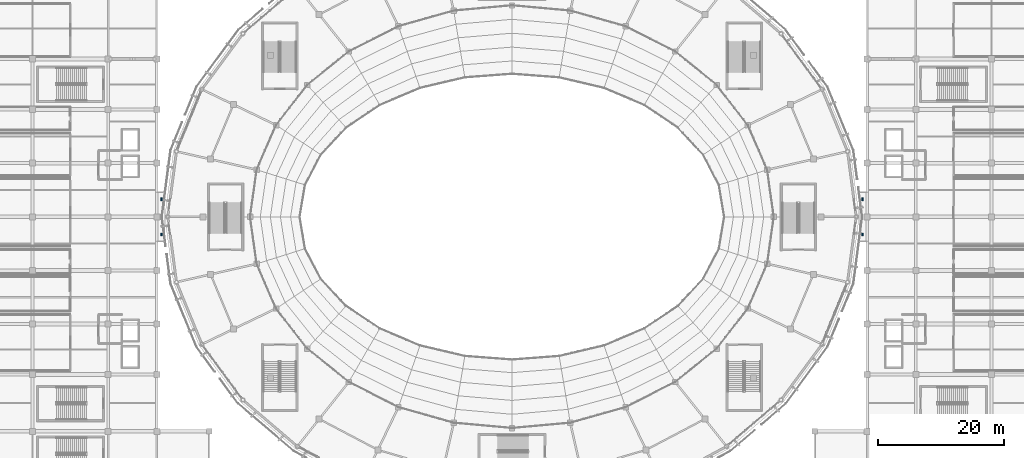
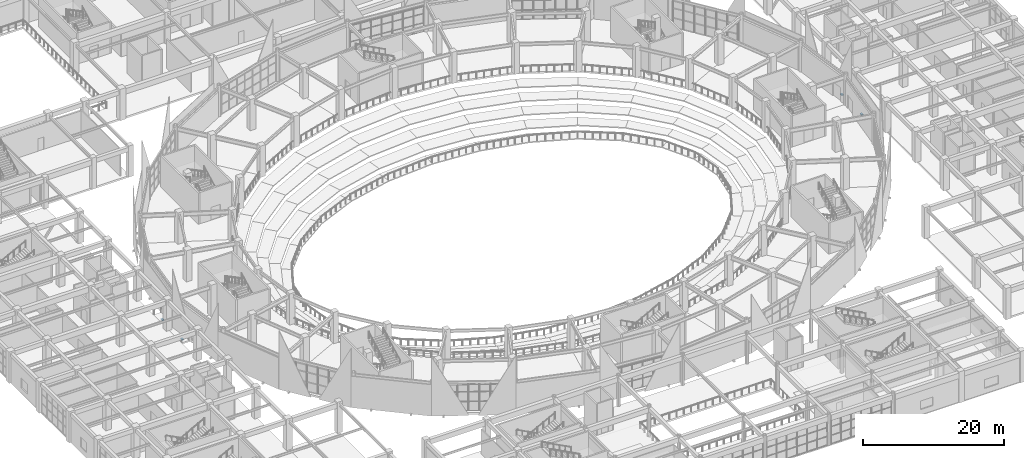
# One storey, part 90 of 120: 4 discrete accessories.
"""IFC4 building model written with IfcOpenShell, lengths in metres."""

from ifc_helpers import new_model, si_unit, direction, frame, origin, origin_2d, place, context, subcontext, project, spatial, rectangle, extrude, material, type_object, element, save


model = new_model("IFC4")

# Units and contexts
model_context = context("Model", 3, precision=1e-05, world=origin(), true_north=direction((0.0, 1.0)))
body_context = subcontext(model_context, "Body", "Model", "MODEL_VIEW")
ifc_project = project(units=[si_unit("LENGTHUNIT", "METRE"), si_unit("AREAUNIT", "SQUARE_METRE"), si_unit("VOLUMEUNIT", "CUBIC_METRE"), si_unit("PLANEANGLEUNIT", "RADIAN"), si_unit("MASSUNIT", "GRAM", prefix="KILO")], contexts=[model_context])

# Site, building, storey
site_placement = place(None, origin())
site = spatial("IfcSite", under=ifc_project, at=site_placement, CompositionType="ELEMENT")
building_placement = place(site_placement, origin())
building = spatial("IfcBuilding", under=site, at=building_placement, Name="Cuetzalor Civic Arena", CompositionType="ELEMENT")
storey_placement = place(building_placement, frame((0.0, 0.0, 6.0)))
storey = spatial("IfcBuildingStorey", under=building, at=storey_placement, Name="L01", CompositionType="ELEMENT", Elevation=6.0)

# Discrete accessories
ifc_material = material(Name="Guided PTFE elastomeric Steel S355 bearing", Category="steel")
discrete_accessory_type = type_object("IfcDiscreteAccessoryType", Name="GuidedSeismicBearing_PTFE", PredefinedType="SHOE", material=ifc_material)
for number, where, z_axis, x_axis, name in (
    (1, (-55.550048828125, -2.800048828125, -0.43994140625), (0.0, 0.0, 1.0), (1.0, 0.0, 0.0), "Guided PTFE Sliding Bridge Bearing V4W-L01-1"),
    (2, (-55.550048828125, 2.800048828125, -0.43994140625), (0.0, 0.0, 1.0), (1.0, 0.0, 0.0), "Guided PTFE Sliding Bridge Bearing V4W-L01-2"),
    (3, (55.550048828125, -2.800048828125, -0.43994140625), (0.0, 0.0, 1.0), (1.0, 0.0, 0.0), "Guided PTFE Sliding Bridge Bearing V4E-L01-1"),
    (4, (55.550048828125, 2.800048828125, -0.43994140625), (0.0, 0.0, 1.0), (1.0, 0.0, 0.0), "Guided PTFE Sliding Bridge Bearing V4E-L01-2"),
):
    element("IfcDiscreteAccessory", number, at=place(storey_placement, frame(where, z_axis=z_axis, x_axis=x_axis)), inside=storey, type_object=discrete_accessory_type, Name=name, PredefinedType="SHOE", context=body_context, shape_type="SweptSolid", body=[
        extrude(rectangle(XDim=0.300048828125, YDim=0.449951171875, at=origin_2d()), origin(), (0.0, 0.0, 1.0), 0.179931640625),
    ])

save(model, "model.ifc")
